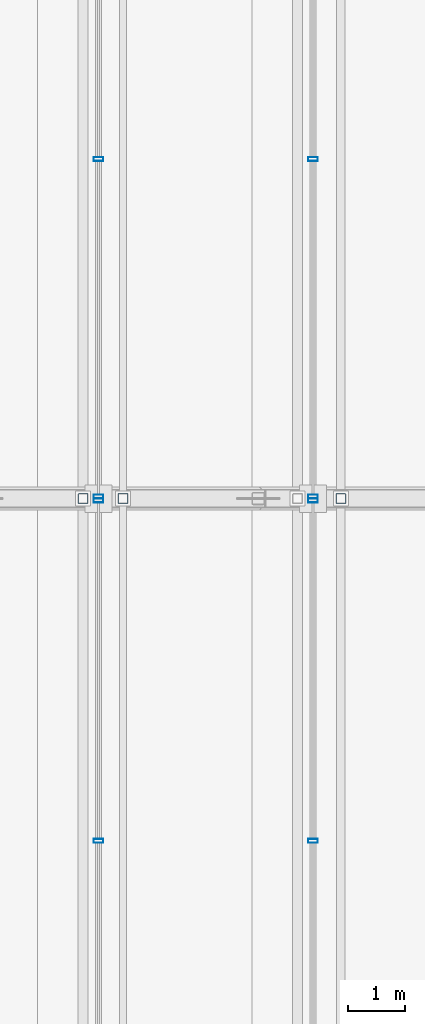
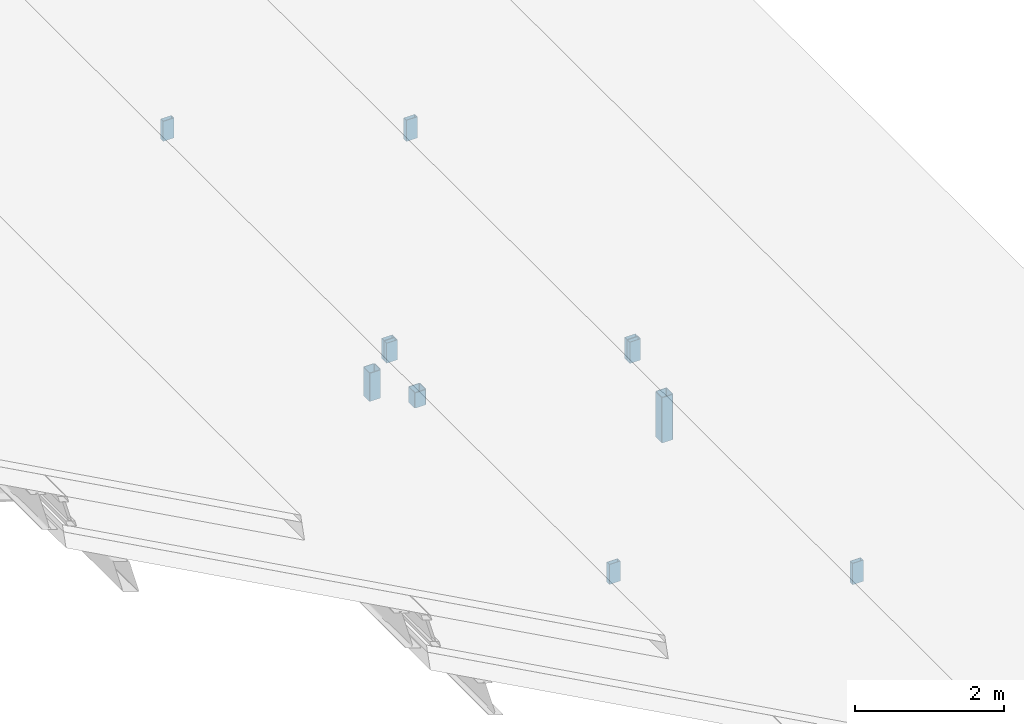
# One storey, part 72 of 117: 11 members, 4 elements without a shape of their own.
"""IFC4 building model written with IfcOpenShell, lengths in metres."""

import ifcopenshell
import ifcopenshell.guid

model = None  # the IFC model being written
_history = None  # IfcOwnerHistory: only IFC2X3 demands one
_inside = {}  # id of a spatial element -> (the spatial element, [elements in it])
_under = {}  # id of a project, library or spatial element -> (it, [spatial elements below it])
_declared = {}  # id of a project -> (the project, [libraries it declares])
_typed = {}  # id of a type object -> (the type object, [elements of that type])
_made_of = {}  # id of a material, layer set ... -> (it, [elements and type objects made of it])


def new_model(schema):
    """Start an empty IFC model of exactly this schema.

    Asked for "IFC4X3", IfcOpenShell would pick the latest addendum, in which some entities
    have other attributes; the version numbers below select the first issue.
    IFC2X3 requires an IfcOwnerHistory on every rooted entity: one is made here for all.
    """
    global model, _history
    if schema == "IFC4X3":
        model = ifcopenshell.file(schema_version=(4, 3, 0, 0))
    else:
        model = ifcopenshell.file(schema=schema)
    _inside.clear()
    _under.clear()
    _declared.clear()
    _typed.clear()
    _made_of.clear()
    _history = None
    if model.schema == "IFC2X3":
        org = make("IfcOrganization", Name="unknown")
        user = make(
            "IfcPersonAndOrganization",
            ThePerson=make("IfcPerson", FamilyName="unknown"),
            TheOrganization=org,
        )
        app = make(
            "IfcApplication",
            ApplicationDeveloper=org,
            Version="unknown",
            ApplicationFullName="unknown",
            ApplicationIdentifier="unknown",
        )
        _history = make(
            "IfcOwnerHistory",
            OwningUser=user,
            OwningApplication=app,
            ChangeAction="ADDED",
            CreationDate=0,
        )
    return model


def make(cls, **values):
    """One entity of the class cls with the attributes given. An attribute that is None is left unset."""
    return model.create_entity(
        cls, **{name: value for name, value in values.items() if value is not None}
    )


def rooted(cls, **values):
    """An entity with a GlobalId (a new one), such as an element, a storey or a relation."""
    return make(cls, GlobalId=ifcopenshell.guid.new(), OwnerHistory=_history, **values)


def si_unit(unit_type, name, prefix=None):
    """IfcSIUnit, for example si_unit("LENGTHUNIT", "METRE", prefix="MILLI")."""
    return make("IfcSIUnit", UnitType=unit_type, Prefix=prefix, Name=name)


def assignment(units):
    """IfcUnitAssignment: the units of a project."""
    return None if units is None else make("IfcUnitAssignment", Units=units)


def point(xyz):
    """IfcCartesianPoint."""
    return None if xyz is None else make("IfcCartesianPoint", Coordinates=xyz)


def direction(xyz):
    """IfcDirection."""
    return None if xyz is None else make("IfcDirection", DirectionRatios=xyz)


def frame(location, z_axis=None, x_axis=None):
    """IfcAxis2Placement3D, a coordinate frame: its origin and axes. An axis left out is left unset."""
    return make(
        "IfcAxis2Placement3D",
        Location=point(location),
        Axis=direction(z_axis),
        RefDirection=direction(x_axis),
    )


def frame_2d(location, x_axis=None):
    """IfcAxis2Placement2D, a coordinate frame in the plane: its origin and x axis."""
    return make(
        "IfcAxis2Placement2D", Location=point(location), RefDirection=direction(x_axis)
    )


def origin():
    """The frame at (0, 0, 0) with its axes left unset."""
    return frame((0.0, 0.0, 0.0))


def origin_2d():
    """The frame at (0, 0) in the plane with its x axis left unset."""
    return frame_2d((0.0, 0.0))


def place(relative_to, where):
    """IfcLocalPlacement: puts the frame where relative to a parent placement (None: the world)."""
    return make(
        "IfcLocalPlacement", PlacementRelTo=relative_to, RelativePlacement=where
    )


def context(
    kind, dimensions, precision=None, world=None, true_north=None, identifier=None
):
    """IfcGeometricRepresentationContext, for example the 3D "Model" context."""
    return make(
        "IfcGeometricRepresentationContext",
        ContextIdentifier=identifier,
        ContextType=kind,
        CoordinateSpaceDimension=dimensions,
        Precision=precision,
        WorldCoordinateSystem=world,
        TrueNorth=true_north,
    )


def subcontext(parent, identifier, kind, view, scale=None):
    """IfcGeometricRepresentationSubContext, for example "Body" below "Model"."""
    return make(
        "IfcGeometricRepresentationSubContext",
        ContextIdentifier=identifier,
        ContextType=kind,
        ParentContext=parent,
        TargetScale=scale,
        TargetView=view,
    )


def project(units=None, contexts=None):
    """IfcProject with its units and contexts."""
    return rooted(
        "IfcProject",
        Name="project",
        RepresentationContexts=contexts,
        UnitsInContext=assignment(units),
    )


def spatial(cls, under=None, at=None, **own):
    """A site, building, storey or space (cls), placed at a placement, below another one or the project."""
    s = rooted(cls, ObjectPlacement=at, **own)
    if under is not None:
        _under.setdefault(under.id(), (under, []))[1].append(s)
    return s


def profile(cls, at=None, kind="AREA", **sizes):
    """A parametric profile (cls). Its sizes go by their IFC names, for example OverallWidth=200.0."""
    return make(cls, ProfileType=kind, Position=at, **sizes)


def hollow_rectangle(**sizes):
    """IfcRectangleHollowProfileDef."""
    return profile("IfcRectangleHollowProfileDef", **sizes)


def extrude(swept, where, along, depth):
    """IfcExtrudedAreaSolid: the profile swept, set in the frame where, extruded along a direction by depth."""
    return make(
        "IfcExtrudedAreaSolid",
        SweptArea=swept,
        Position=where,
        ExtrudedDirection=direction(along),
        Depth=depth,
    )


def shape(context_of_items, identifier, shape_type, items):
    """IfcShapeRepresentation: the items that make up one representation, for example the "Body"."""
    return make(
        "IfcShapeRepresentation",
        ContextOfItems=context_of_items,
        RepresentationIdentifier=identifier,
        RepresentationType=shape_type,
        Items=items,
    )


def material(Name=None, Category=None):
    """IfcMaterial."""
    return make("IfcMaterial", Name=Name, Category=Category)


def material_profile(
    of_material, cross_section, Name=None, Category=None, Priority=None
):
    """IfcMaterialProfile: a cross section and its material."""
    return make(
        "IfcMaterialProfile",
        Name=Name,
        Material=of_material,
        Profile=cross_section,
        Priority=Priority,
        Category=Category,
    )


def profile_set(profiles, Name=None, composite=None):
    """IfcMaterialProfileSet."""
    return make(
        "IfcMaterialProfileSet",
        Name=Name,
        MaterialProfiles=profiles,
        CompositeProfile=composite,
    )


def made_of(thing, what):
    """Note that an element or type object is made of a material, layer set ...; save() writes the relation."""
    if what is not None:
        _made_of.setdefault(what.id(), (what, []))[1].append(thing)
    return thing


def type_object(cls, material=None, **own):
    """A type object (cls), such as IfcWallType, which elements share."""
    return made_of(rooted(cls, **own), material)


def element(
    cls,
    number,
    at=None,
    inside=None,
    cuts=None,
    type_object=None,
    material=None,
    context=None,
    identifier="Body",
    shape_type=None,
    held_by="IfcProductDefinitionShape",
    body=None,
    shapes=None,
    **own,
):
    """One element of the class cls, such as IfcWall. Its Tag is "e" and its number.

    at: its placement. inside: the storey or other place that contains it. cuts: it is an
    opening in that element (IfcRelVoidsElement). A single representation is given by context,
    identifier, shape_type and body (its items); several are given by shapes. held_by: the class
    of the entity that holds the representations. save() writes the other relations.
    """
    e = rooted(cls, Tag="e%d" % number, ObjectPlacement=at, **own)
    if body is not None:
        shapes = [shape(context, identifier, shape_type, body)]
    if shapes is not None:
        e.Representation = make(held_by, Representations=shapes)
    if inside is not None:
        _inside.setdefault(inside.id(), (inside, []))[1].append(e)
    if cuts is not None:
        rooted(
            "IfcRelVoidsElement", RelatingBuildingElement=cuts, RelatedOpeningElement=e
        )
    if type_object is not None:
        _typed.setdefault(type_object.id(), (type_object, []))[1].append(e)
    return made_of(e, material)


def aggregate(whole, parts):
    """IfcRelAggregates: a whole, such as a stair, and the parts it consists of."""
    return rooted("IfcRelAggregates", RelatingObject=whole, RelatedObjects=parts)


def save(model, path):
    """Write the relations noted so far, then the file.

    IfcRelAggregates (storeys below a building ...), IfcRelContainedInSpatialStructure (elements
    in a storey), IfcRelDefinesByType, IfcRelAssociatesMaterial and IfcRelDeclares: one each for
    every whole, place, type object, material and project.
    """
    for whole, parts in _under.values():
        aggregate(whole, parts)
    for where, things in _inside.values():
        rooted(
            "IfcRelContainedInSpatialStructure",
            RelatedElements=things,
            RelatingStructure=where,
        )
    for kind, things in _typed.values():
        rooted("IfcRelDefinesByType", RelatedObjects=things, RelatingType=kind)
    for what, things in _made_of.values():
        rooted("IfcRelAssociatesMaterial", RelatedObjects=things, RelatingMaterial=what)
    for by, libraries in _declared.values():
        rooted("IfcRelDeclares", RelatingContext=by, RelatedDefinitions=libraries)
    model.write(path)


model = new_model("IFC4")

# Units and contexts
model_context = context("Model", 3, precision=1e-05, world=origin(), true_north=direction((0.0, 1.0)))
body_context = subcontext(model_context, "Body", "Model", "MODEL_VIEW")
ifc_project = project(units=[si_unit("LENGTHUNIT", "METRE"), si_unit("AREAUNIT", "SQUARE_METRE"), si_unit("VOLUMEUNIT", "CUBIC_METRE"), si_unit("PLANEANGLEUNIT", "RADIAN"), si_unit("MASSUNIT", "GRAM", prefix="KILO")], contexts=[model_context])

# Site, building, storey
site_placement = place(None, origin())
site = spatial("IfcSite", under=ifc_project, at=site_placement, CompositionType="ELEMENT")
building_placement = place(site_placement, origin())
building = spatial("IfcBuilding", under=site, at=building_placement, Name="Merenkruunu Market Hall", CompositionType="ELEMENT")
storey_placement = place(building_placement, frame((0.0, 0.0, 22.800048828125)))
storey = spatial("IfcBuildingStorey", under=building, at=storey_placement, Name="RF", CompositionType="ELEMENT", Elevation=22.800048828125)

# Curtain wall, members
ifc_material_1 = material(Name="Powder-coated aluminium", Category="aluminium")
curtain_wall_type = type_object("IfcCurtainWallType", Name="Clerestory Curtain Band CL05", PredefinedType="USERDEFINED", material=ifc_material_1)
curtain_wall_1_placement = place(storey_placement, origin())
curtain_wall_1 = element("IfcCurtainWall", 1, at=curtain_wall_1_placement, inside=storey, type_object=curtain_wall_type, Name="CW-RF-CWM04-086", ObjectType="CLERESTORY_BAND", PredefinedType="USERDEFINED")
ifc_material_profile_1 = material_profile(ifc_material_1, hollow_rectangle(XDim=0.070068359375, YDim=0.169921875, WallThickness=0.0048828125, at=origin_2d()), Name="ALU 70x170x5")
ifc_profile_set_1 = profile_set([ifc_material_profile_1], Name="Powder-coated aluminium")
member_type_1 = type_object("IfcMemberType", Name="Curtain Wall Mullion CWM04", PredefinedType="MULLION", material=ifc_profile_set_1)
member_1_placement = place(storey_placement, frame((53.760009765625, 87.56494140625, -6.52197265625), z_axis=(0.0, 0.0, 1.0), x_axis=(0.0, -1.0, 0.0)))
member_1 = element("IfcMember", 2, at=member_1_placement, type_object=member_type_1, Name="CL05 mullion 1", PredefinedType="MULLION", context=body_context, shape_type="SweptSolid", body=[
    extrude(hollow_rectangle(XDim=0.070068359375, YDim=0.169921875, WallThickness=0.0048828125, at=origin_2d()), origin(), (0.0, 0.0, 1.0), 0.347900390625),
])
member_2_placement = place(storey_placement, frame((53.760009765625, 81.60009765625, -6.52197265625), z_axis=(0.0, 0.0, 1.0), x_axis=(0.0, -1.0, 0.0)))
member_2 = element("IfcMember", 3, at=member_2_placement, type_object=member_type_1, Name="CL05 mullion 2", PredefinedType="MULLION", context=body_context, shape_type="SweptSolid", body=[
    extrude(hollow_rectangle(XDim=0.070068359375, YDim=0.169921875, WallThickness=0.0048828125, at=origin_2d()), origin(), (0.0, 0.0, 1.0), 0.347900390625),
])
aggregate(curtain_wall_1, [member_1, member_2])

curtain_wall_2_placement = place(storey_placement, origin())
curtain_wall_2 = element("IfcCurtainWall", 4, at=curtain_wall_2_placement, inside=storey, type_object=curtain_wall_type, Name="CW-RF-CWM04-088", ObjectType="CLERESTORY_BAND", PredefinedType="USERDEFINED")
member_3_placement = place(storey_placement, frame((53.760009765625, 93.550048828125, -6.52197265625), z_axis=(0.0, 0.0, 1.0), x_axis=(0.0, -1.0, 0.0)))
member_3 = element("IfcMember", 5, at=member_3_placement, type_object=member_type_1, Name="CL05 mullion 4", PredefinedType="MULLION", context=body_context, shape_type="SweptSolid", body=[
    extrude(hollow_rectangle(XDim=0.070068359375, YDim=0.169921875, WallThickness=0.0048828125, at=origin_2d()), origin(), (0.0, 0.0, 1.0), 0.347900390625),
])
member_4_placement = place(storey_placement, frame((53.760009765625, 87.635009765625, -6.52197265625), z_axis=(0.0, 0.0, 1.0), x_axis=(0.0, -1.0, 0.0)))
member_4 = element("IfcMember", 6, at=member_4_placement, type_object=member_type_1, Name="CL05 mullion 5", PredefinedType="MULLION", context=body_context, shape_type="SweptSolid", body=[
    extrude(hollow_rectangle(XDim=0.070068359375, YDim=0.169921875, WallThickness=0.0048828125, at=origin_2d()), origin(), (0.0, 0.0, 1.0), 0.347900390625),
])
aggregate(curtain_wall_2, [member_3, member_4])

curtain_wall_3_placement = place(storey_placement, origin())
curtain_wall_3 = element("IfcCurtainWall", 7, at=curtain_wall_3_placement, inside=storey, type_object=curtain_wall_type, Name="CW-RF-CWM04-094", ObjectType="CLERESTORY_BAND", PredefinedType="USERDEFINED")
member_5_placement = place(storey_placement, frame((50.0, 87.56494140625, -5.2021484375), z_axis=(0.0, 0.0, 1.0), x_axis=(0.0, -1.0, 0.0)))
member_5 = element("IfcMember", 8, at=member_5_placement, type_object=member_type_1, Name="CL05 mullion 1", PredefinedType="MULLION", context=body_context, shape_type="SweptSolid", body=[
    extrude(hollow_rectangle(XDim=0.070068359375, YDim=0.169921875, WallThickness=0.0048828125, at=origin_2d()), origin(), (0.0, 0.0, 1.0), 0.3271484375),
])
member_6_placement = place(storey_placement, frame((50.0, 81.60009765625, -5.2021484375), z_axis=(0.0, 0.0, 1.0), x_axis=(0.0, -1.0, 0.0)))
member_6 = element("IfcMember", 9, at=member_6_placement, type_object=member_type_1, Name="CL05 mullion 2", PredefinedType="MULLION", context=body_context, shape_type="SweptSolid", body=[
    extrude(hollow_rectangle(XDim=0.070068359375, YDim=0.169921875, WallThickness=0.0048828125, at=origin_2d()), origin(), (0.0, 0.0, 1.0), 0.3271484375),
])
aggregate(curtain_wall_3, [member_5, member_6])

curtain_wall_4_placement = place(storey_placement, origin())
curtain_wall_4 = element("IfcCurtainWall", 10, at=curtain_wall_4_placement, inside=storey, type_object=curtain_wall_type, Name="CW-RF-CWM04-096", ObjectType="CLERESTORY_BAND", PredefinedType="USERDEFINED")
member_7_placement = place(storey_placement, frame((50.0, 93.550048828125, -5.2021484375), z_axis=(0.0, 0.0, 1.0), x_axis=(0.0, -1.0, 0.0)))
member_7 = element("IfcMember", 11, at=member_7_placement, type_object=member_type_1, Name="CL05 mullion 4", PredefinedType="MULLION", context=body_context, shape_type="SweptSolid", body=[
    extrude(hollow_rectangle(XDim=0.070068359375, YDim=0.169921875, WallThickness=0.0048828125, at=origin_2d()), origin(), (0.0, 0.0, 1.0), 0.3271484375),
])
member_8_placement = place(storey_placement, frame((50.0, 87.635009765625, -5.2021484375), z_axis=(0.0, 0.0, 1.0), x_axis=(0.0, -1.0, 0.0)))
member_8 = element("IfcMember", 12, at=member_8_placement, type_object=member_type_1, Name="CL05 mullion 5", PredefinedType="MULLION", context=body_context, shape_type="SweptSolid", body=[
    extrude(hollow_rectangle(XDim=0.070068359375, YDim=0.169921875, WallThickness=0.0048828125, at=origin_2d()), origin(), (0.0, 0.0, 1.0), 0.3271484375),
])
aggregate(curtain_wall_4, [member_7, member_8])

# Members
ifc_material_2 = material(Name="Steel S355J2", Category="steel")
ifc_material_profile_2 = material_profile(ifc_material_2, hollow_rectangle(XDim=0.179931640625, YDim=0.179931640625, WallThickness=0.010009765625, InnerFilletRadius=0.010009765625, OuterFilletRadius=0.02001953125, at=origin_2d()), Name="SHS 180x180x10")
ifc_profile_set_2 = profile_set([ifc_material_profile_2], Name="Steel S355J2")
member_type_2 = type_object("IfcMemberType", Name="Diagonal Sway Brace BR05", PredefinedType="BRACE", material=ifc_profile_set_2)
member_9_placement = place(storey_placement, frame((54.25, 87.60009765625, -7.98095703125), z_axis=(0.0, 0.0, 1.0), x_axis=(1.0, 0.0, 0.0)))
element("IfcMember", 13, at=member_9_placement, inside=storey, type_object=member_type_2, Name="TRUSS-AT-7-RISER-E1-2", PredefinedType="BRACE", context=body_context, shape_type="SweptSolid", body=[
    extrude(hollow_rectangle(XDim=0.179931640625, YDim=0.179931640625, WallThickness=0.010009765625, InnerFilletRadius=0.010009765625, OuterFilletRadius=0.02001953125, at=origin_2d()), origin(), (0.0, 0.0, 1.0), 0.741455078125),
])
member_10_placement = place(storey_placement, frame((50.429931640625, 87.60009765625, -6.075439453125), z_axis=(0.0, 0.0, 1.0), x_axis=(1.0, 0.0, 0.0)))
element("IfcMember", 14, at=member_10_placement, inside=storey, type_object=member_type_2, Name="TRUSS-AT-7-RISER-E2-2", PredefinedType="BRACE", context=body_context, shape_type="SweptSolid", body=[
    extrude(hollow_rectangle(XDim=0.179931640625, YDim=0.179931640625, WallThickness=0.010009765625, InnerFilletRadius=0.010009765625, OuterFilletRadius=0.02001953125, at=origin_2d()), origin(), (0.0, 0.0, 1.0), 0.25),
])
member_11_placement = place(storey_placement, frame((49.72998046875, 87.60009765625, -5.720947265625), z_axis=(0.0, 0.0, 1.0), x_axis=(1.0, 0.0, 0.0)))
element("IfcMember", 15, at=member_11_placement, inside=storey, type_object=member_type_2, Name="TRUSS-AT-7-RISER-E3-1", PredefinedType="BRACE", context=body_context, shape_type="SweptSolid", body=[
    extrude(hollow_rectangle(XDim=0.179931640625, YDim=0.179931640625, WallThickness=0.010009765625, InnerFilletRadius=0.010009765625, OuterFilletRadius=0.02001953125, at=origin_2d()), origin(), (0.0, 0.0, 1.0), 0.462646484375),
])

save(model, "model.ifc")
